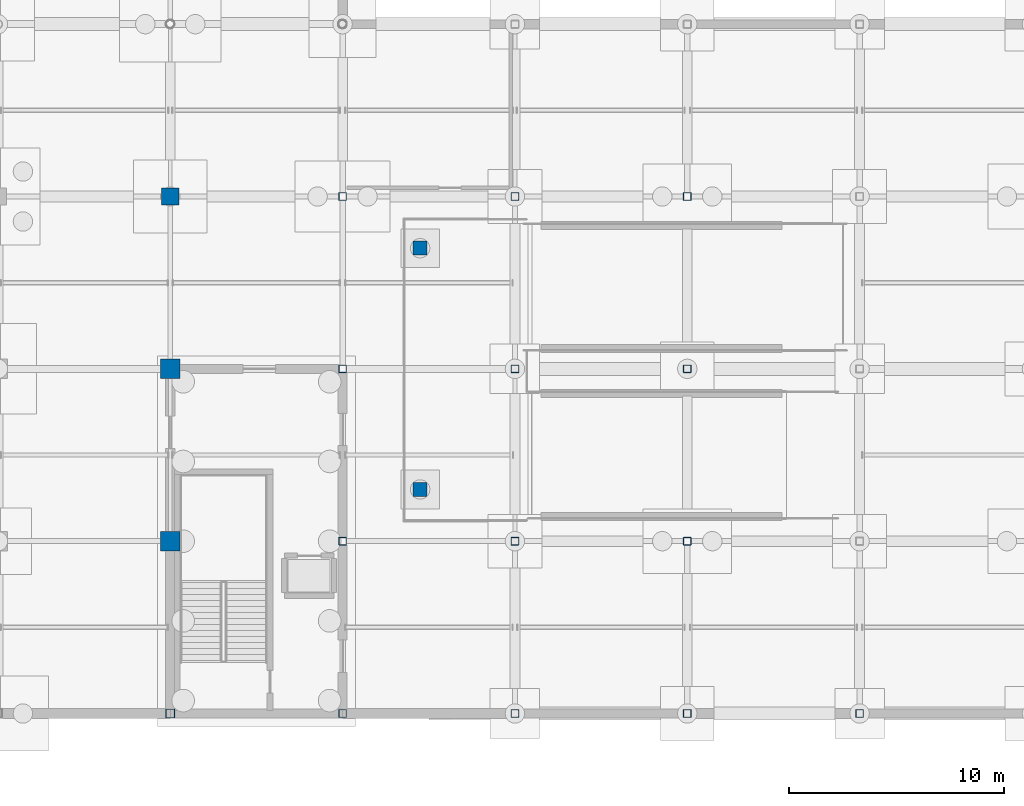
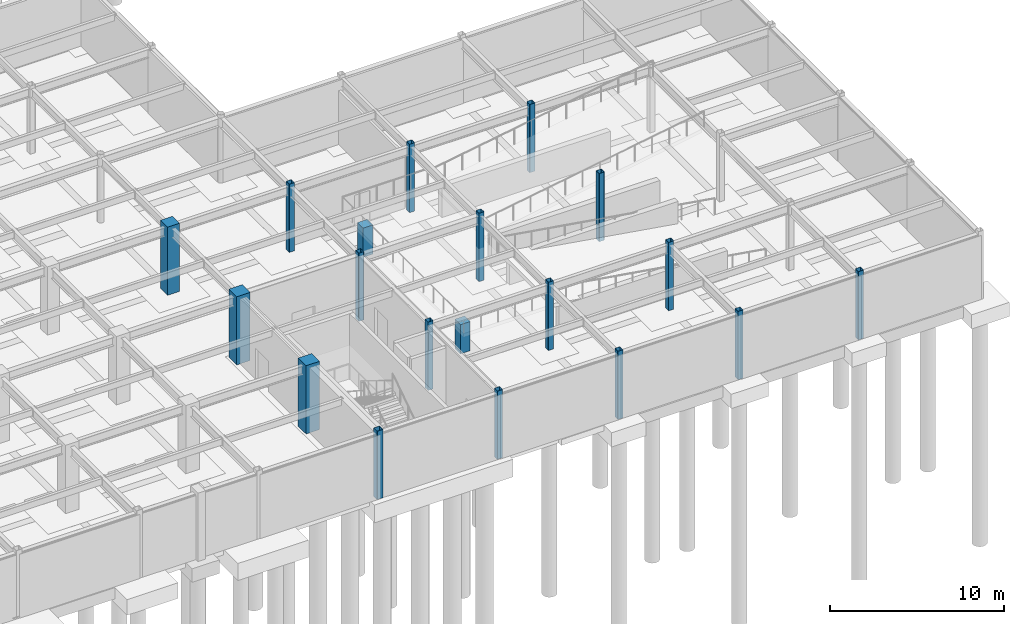
# One storey, part 35 of 105: 19 columns.
"""IFC4 building model written with IfcOpenShell, lengths in metres."""

from ifc_helpers import new_model, si_unit, direction, frame, origin, origin_2d, place, context, subcontext, project, spatial, rectangle, hollow_rectangle, extrude, material, material_profile, profile_set, type_object, element, save


model = new_model("IFC4")

# Units and contexts
model_context = context("Model", 3, precision=1e-05, world=origin(), true_north=direction((0.0, 1.0)))
body_context = subcontext(model_context, "Body", "Model", "MODEL_VIEW")
ifc_project = project(units=[si_unit("LENGTHUNIT", "METRE"), si_unit("AREAUNIT", "SQUARE_METRE"), si_unit("VOLUMEUNIT", "CUBIC_METRE"), si_unit("PLANEANGLEUNIT", "RADIAN"), si_unit("MASSUNIT", "GRAM", prefix="KILO")], contexts=[model_context])

# Site, building, storey
site_placement = place(None, origin())
site = spatial("IfcSite", under=ifc_project, at=site_placement, CompositionType="ELEMENT")
building_placement = place(site_placement, origin())
building = spatial("IfcBuilding", under=site, at=building_placement, Name="Solmirada Galleria", CompositionType="ELEMENT")
storey_placement = place(building_placement, frame((0.0, 0.0, -4.800048828125)))
storey = spatial("IfcBuildingStorey", under=building, at=storey_placement, Name="B1", CompositionType="ELEMENT", Elevation=-4.800048828125)

# Columns
ifc_material_1 = material(Name="Steel S355 / ASTM A500 Grade C", Category="steel")
ifc_material_profile_1 = material_profile(ifc_material_1, hollow_rectangle(XDim=0.35595703125, YDim=0.35595703125, WallThickness=0.01171875, InnerFilletRadius=0.01171875, OuterFilletRadius=0.023681640625, at=origin_2d()), Name="HSS14X14X1/2")
ifc_profile_set_1 = profile_set([ifc_material_profile_1], Name="Steel S355 / ASTM A500 Grade C")
column_type_1 = type_object("IfcColumnType", Name="COL-HSS14", PredefinedType="COLUMN", material=ifc_profile_set_1)
for number, where, z_axis, x_axis, name in (
    (1, (144.0, 0.0, 0.0), (0.0, 0.0, 1.0), (1.0, 0.0, 0.0), "Structural column B1-1205"),
    (2, (144.0, 8.0, 0.0), (0.0, 0.0, 1.0), (1.0, 0.0, 0.0), "Structural column B1-1210"),
    (3, (144.0, 16.0, 0.0), (0.0, 0.0, 1.0), (1.0, 0.0, 0.0), "Structural column B1-1215"),
    (4, (144.0, 24.0, 0.0), (0.0, 0.0, 1.0), (1.0, 0.0, 0.0), "Structural column B1-1220"),
    (5, (152.0, 0.0, 0.0), (0.0, 0.0, 1.0), (1.0, 0.0, 0.0), "Structural column B1-1291"),
    (6, (152.0, 8.0, 0.0), (0.0, 0.0, 1.0), (1.0, 0.0, 0.0), "Structural column B1-1295"),
    (7, (152.0, 16.0, 0.0), (0.0, 0.0, 1.0), (1.0, 0.0, 0.0), "Structural column B1-1299"),
    (8, (152.0, 24.0, 0.0), (0.0, 0.0, 1.0), (1.0, 0.0, 0.0), "Structural column B1-1303"),
    (9, (160.0, 0.0, 0.0), (0.0, 0.0, 1.0), (1.0, 0.0, 0.0), "Structural column B1-1364"),
    (10, (160.0, 8.0, 0.0), (0.0, 0.0, 1.0), (1.0, 0.0, 0.0), "Structural column B1-1368"),
    (11, (160.0, 16.0, 0.0), (0.0, 0.0, 1.0), (1.0, 0.0, 0.0), "Structural column B1-1372"),
    (12, (160.0, 24.0, 0.0), (0.0, 0.0, 1.0), (1.0, 0.0, 0.0), "Structural column B1-1376"),
    (13, (168.0, 0.0, 0.0), (0.0, 0.0, 1.0), (1.0, 0.0, 0.0), "Structural column B1-1437"),
):
    element("IfcColumn", number, at=place(storey_placement, frame(where, z_axis=z_axis, x_axis=x_axis)), inside=storey, type_object=column_type_1, Name=name, PredefinedType="COLUMN", context=body_context, shape_type="SweptSolid", body=[
        extrude(hollow_rectangle(XDim=0.35595703125, YDim=0.35595703125, WallThickness=0.01171875, InnerFilletRadius=0.01171875, OuterFilletRadius=0.023681640625, at=origin_2d()), origin(), (0.0, 0.0, 1.0), 4.800048828125),
    ])
ifc_material_profile_2 = material_profile(ifc_material_1, hollow_rectangle(XDim=0.406005859375, YDim=0.406005859375, WallThickness=0.0146484375, InnerFilletRadius=0.0146484375, OuterFilletRadius=0.029296875, at=origin_2d()), Name="HSS16X16X5/8")
ifc_profile_set_2 = profile_set([ifc_material_profile_2], Name="Steel S355 / ASTM A500 Grade C")
column_type_2 = type_object("IfcColumnType", Name="COL-HSS16", PredefinedType="COLUMN", material=ifc_profile_set_2)
column_1_placement = place(storey_placement, frame((136.0, 0.0, 0.0), z_axis=(0.0, 0.0, 1.0), x_axis=(1.0, 0.0, 0.0)))
element("IfcColumn", 14, at=column_1_placement, inside=storey, type_object=column_type_2, Name="Structural column B1-1104", PredefinedType="COLUMN", context=body_context, shape_type="SweptSolid", body=[
    extrude(hollow_rectangle(XDim=0.406005859375, YDim=0.406005859375, WallThickness=0.0146484375, InnerFilletRadius=0.0146484375, OuterFilletRadius=0.029296875, at=origin_2d()), origin(), (0.0, 0.0, 1.0), 4.800048828125),
])
ifc_material_2 = material(Name="Concrete C40/50", Category="concrete")
ifc_material_profile_3 = material_profile(ifc_material_2, rectangle(XDim=0.64990234375, YDim=0.64990234375, at=origin_2d()), Name="RC650X650")
ifc_profile_set_3 = profile_set([ifc_material_profile_3], Name="Concrete C40/50")
column_type_3 = type_object("IfcColumnType", Name="COL-RC650", PredefinedType="COLUMN", material=ifc_profile_set_3)
for number, where, z_axis, x_axis, name in (
    (15, (147.60009765625, 10.39990234375, 0.0), (0.0, 0.0, 1.0), (1.0, 0.0, 0.0), "Ramp landing support pier (147.6, 10.4)"),
    (16, (147.60009765625, 21.60009765625, 0.0), (0.0, 0.0, 1.0), (1.0, 0.0, 0.0), "Ramp landing support pier (147.6, 21.6)"),
):
    element("IfcColumn", number, at=place(storey_placement, frame(where, z_axis=z_axis, x_axis=x_axis)), inside=storey, type_object=column_type_3, Name=name, PredefinedType="COLUMN", context=body_context, shape_type="SweptSolid", body=[
        extrude(rectangle(XDim=0.64990234375, YDim=0.64990234375, at=origin_2d()), origin(), (0.0, 0.0, 1.0), 2.050048828125),
    ])
ifc_material_profile_4 = material_profile(ifc_material_2, rectangle(XDim=0.800048828125, YDim=0.800048828125, at=origin_2d()), Name="RC800X800")
ifc_profile_set_4 = profile_set([ifc_material_profile_4], Name="Concrete C40/50")
column_type_4 = type_object("IfcColumnType", Name="COL-RC800", PredefinedType="COLUMN", material=ifc_profile_set_4)
column_2_placement = place(storey_placement, frame((136.0, 24.0, 0.0), z_axis=(0.0, 0.0, 1.0), x_axis=(1.0, 0.0, 0.0)))
element("IfcColumn", 17, at=column_2_placement, inside=storey, type_object=column_type_4, Name="Structural column B1-1128", PredefinedType="COLUMN", context=body_context, shape_type="SweptSolid", body=[
    extrude(rectangle(XDim=0.800048828125, YDim=0.800048828125, at=origin_2d()), origin(), (0.0, 0.0, 1.0), 4.800048828125),
])
ifc_material_profile_5 = material_profile(ifc_material_2, rectangle(XDim=0.89990234375, YDim=0.89990234375, at=origin_2d()), Name="RC900X900")
ifc_profile_set_5 = profile_set([ifc_material_profile_5], Name="Concrete C40/50")
column_type_5 = type_object("IfcColumnType", Name="COL-RC900", PredefinedType="COLUMN", material=ifc_profile_set_5)
for number, where, z_axis, x_axis, name in (
    (18, (136.0, 8.0, 0.0), (0.0, 0.0, 1.0), (1.0, 0.0, 0.0), "Structural column B1-1112"),
    (19, (136.0, 16.0, 0.0), (0.0, 0.0, 1.0), (1.0, 0.0, 0.0), "Structural column B1-1120"),
):
    element("IfcColumn", number, at=place(storey_placement, frame(where, z_axis=z_axis, x_axis=x_axis)), inside=storey, type_object=column_type_5, Name=name, PredefinedType="COLUMN", context=body_context, shape_type="SweptSolid", body=[
        extrude(rectangle(XDim=0.89990234375, YDim=0.89990234375, at=origin_2d()), origin(), (0.0, 0.0, 1.0), 4.800048828125),
    ])

save(model, "model.ifc")
